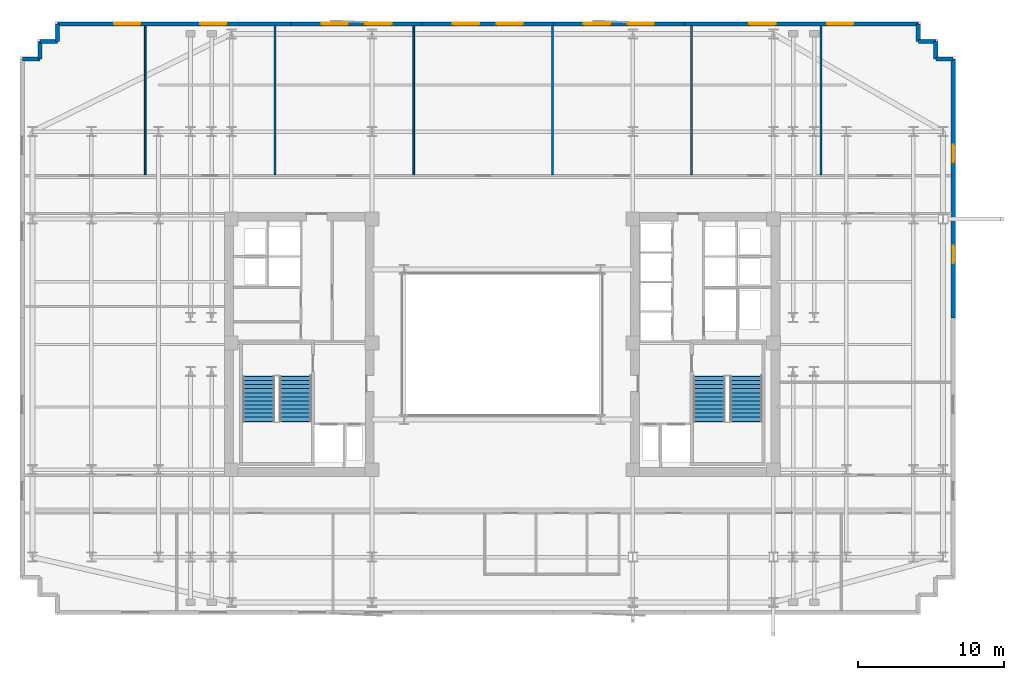
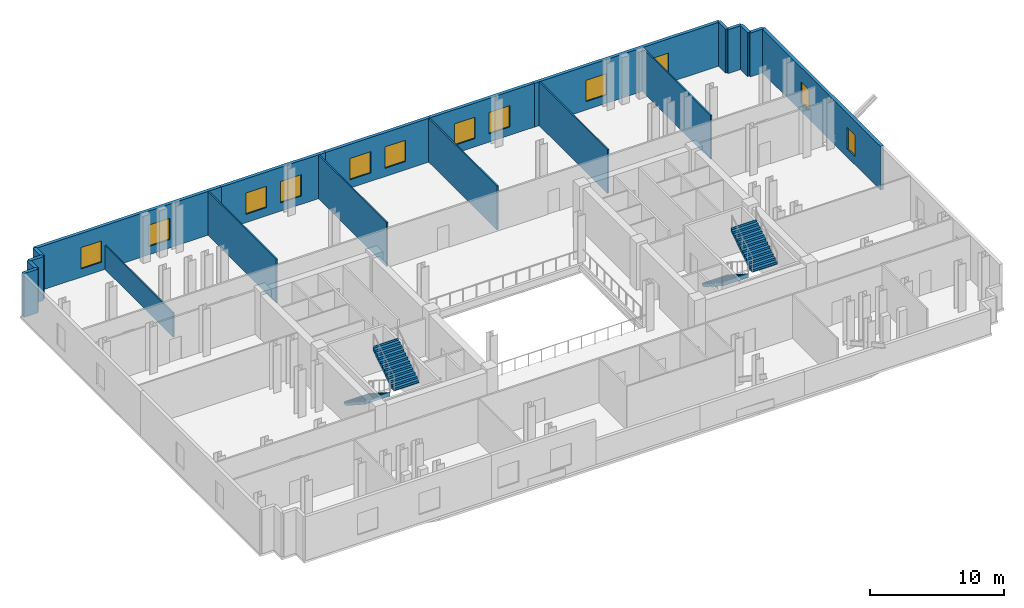
# One storey, part 7 of 9: 20 walls, 12 windows, 4 stair flights, 12 openings, 2 elements without a shape of their own.
"""IFC4 building model written with IfcOpenShell, lengths in metres."""

from ifc_helpers import new_model, si_unit, direction, frame, frame_2d, origin, place, context, subcontext, project, spatial, polyline, rectangle, outline, extrude, material, layer, layer_set, type_object, element, fill, aggregate, save


model = new_model("IFC4")

# Units and contexts
model_context = context("Model", 3, precision=1e-05, world=origin(), true_north=direction((0.0, 1.0)))
body_context = subcontext(model_context, "Body", "Model", "MODEL_VIEW")
ifc_project = project(units=[si_unit("LENGTHUNIT", "METRE"), si_unit("AREAUNIT", "SQUARE_METRE"), si_unit("VOLUMEUNIT", "CUBIC_METRE"), si_unit("PLANEANGLEUNIT", "RADIAN"), si_unit("MASSUNIT", "GRAM", prefix="KILO")], contexts=[model_context])

# Site, building, storey
site_placement = place(None, origin())
site = spatial("IfcSite", under=ifc_project, at=site_placement, CompositionType="ELEMENT")
building_placement = place(site_placement, origin())
building = spatial("IfcBuilding", under=site, at=building_placement, Name="Velakula Bourse", CompositionType="ELEMENT")
storey_placement = place(building_placement, frame((0.0, 0.0, 151.89990234375)))
storey = spatial("IfcBuildingStorey", under=building, at=storey_placement, Name="L41", CompositionType="ELEMENT", Elevation=151.89990234375)

# Wall, openings, windows
ifc_material_1 = material(Name="Red kilned clay facing brick masonry", Category="masonry")
ifc_layer_1 = layer(ifc_material_1, 0.280029296875, Name="Red kilned clay facing brick masonry", Category="masonry")
ifc_layer_set_1 = layer_set([ifc_layer_1], Name="Red kilned clay facing brick masonry")
wall_type_1 = type_object("IfcWallType", Name="WL-EXT-BRK-280", PredefinedType="STANDARD", material=ifc_layer_set_1)
wall_1_placement = place(storey_placement, frame((-30.5400390625, 21.989990234375, 0.0), z_axis=(0.0, 0.0, 1.0), x_axis=(1.0, 0.0, 0.0)))
wall_1 = element("IfcWall", 1, at=wall_1_placement, inside=storey, type_object=wall_type_1, Name="L41 N Brick Spandrel Wall B1", PredefinedType="STANDARD", context=body_context, shape_type="SweptSolid", body=[
    extrude(rectangle(XDim=16.0400390625, YDim=0.280029296875, at=frame_2d((8.02001953125, 0.0))), origin(), (0.0, 0.0, 1.0), 4.0),
])
opening_1_placement = place(wall_1_placement, frame((3.896728515625, 0.0, 0.760009765625)))
opening_1 = element("IfcOpeningElement", 2, at=opening_1_placement, cuts=wall_1, Name="Opening W-01", PredefinedType="OPENING", context=body_context, shape_type="SweptSolid", body=[
    extrude(rectangle(XDim=1.800048828125, YDim=1.949951171875, at=frame_2d((0.89990234375, 0.97509765625))), frame((0.0, 0.14990234375, 0.0), z_axis=(0.0, -1.0, 0.0), x_axis=(1.0, 0.0, 0.0)), (0.0, 0.0, 1.0), 0.300048828125),
])
opening_2_placement = place(wall_1_placement, frame((9.793212890625, 0.0, 0.760009765625)))
opening_2 = element("IfcOpeningElement", 3, at=opening_2_placement, cuts=wall_1, Name="Opening W-01", PredefinedType="OPENING", context=body_context, shape_type="SweptSolid", body=[
    extrude(rectangle(XDim=1.800048828125, YDim=1.949951171875, at=frame_2d((0.89990234375, 0.97509765625))), frame((0.0, 0.14990234375, 0.0), z_axis=(0.0, -1.0, 0.0), x_axis=(1.0, 0.0, 0.0)), (0.0, 0.0, 1.0), 0.300048828125),
])
ifc_material_2 = material(Name="Double-glazed solar-control Low-E glass", Category="glass")
window_type_1 = type_object("IfcWindowType", Name="WIN-TWR-1800x2100", PartitioningType="SINGLE_PANEL", PredefinedType="WINDOW", material=ifc_material_2)
window_1_placement = place(opening_1_placement, origin())
window_1 = element("IfcWindow", 4, at=window_1_placement, inside=storey, type_object=window_type_1, Name="L41 Deep-Set Recessed Window 1", OverallHeight=1.949951171875, OverallWidth=1.800048828125, PartitioningType="SINGLE_PANEL", PredefinedType="WINDOW", context=body_context, shape_type="SweptSolid", body=[
    extrude(rectangle(XDim=1.800048828125, YDim=1.949951171875, at=frame_2d((0.89990234375, 0.97509765625))), frame((0.0, 0.030029296875, 0.0), z_axis=(0.0, -1.0, 0.0), x_axis=(1.0, 0.0, 0.0)), (0.0, 0.0, 1.0), 0.06005859375),
])
fill(opening_1, window_1)
window_2_placement = place(opening_2_placement, origin())
window_2 = element("IfcWindow", 5, at=window_2_placement, inside=storey, type_object=window_type_1, Name="L41 Deep-Set Recessed Window 2", OverallHeight=1.949951171875, OverallWidth=1.800048828125, PartitioningType="SINGLE_PANEL", PredefinedType="WINDOW", context=body_context, shape_type="SweptSolid", body=[
    extrude(rectangle(XDim=1.800048828125, YDim=1.949951171875, at=frame_2d((0.89990234375, 0.97509765625))), frame((0.0, 0.030029296875, 0.0), z_axis=(0.0, -1.0, 0.0), x_axis=(1.0, 0.0, 0.0)), (0.0, 0.0, 1.0), 0.06005859375),
])
fill(opening_2, window_2)

wall_2_placement = place(storey_placement, frame((-14.5, 21.989990234375, 0.0), z_axis=(0.0, 0.0, 1.0), x_axis=(1.0, 0.0, 0.0)))
wall_2 = element("IfcWall", 6, at=wall_2_placement, inside=storey, type_object=wall_type_1, Name="L41 N Brick Spandrel Wall B2", PredefinedType="STANDARD", context=body_context, shape_type="SweptSolid", body=[
    extrude(rectangle(XDim=9.0, YDim=0.280029296875, at=frame_2d((4.5, 0.0))), origin(), (0.0, 0.0, 1.0), 4.0),
])
opening_3_placement = place(wall_2_placement, frame((2.10009765625, 0.0, 0.760009765625)))
opening_3 = element("IfcOpeningElement", 7, at=opening_3_placement, cuts=wall_2, Name="Opening W-01", PredefinedType="OPENING", context=body_context, shape_type="SweptSolid", body=[
    extrude(rectangle(XDim=1.800048828125, YDim=1.949951171875, at=frame_2d((0.89990234375, 0.97509765625))), frame((0.0, 0.14990234375, 0.0), z_axis=(0.0, -1.0, 0.0), x_axis=(1.0, 0.0, 0.0)), (0.0, 0.0, 1.0), 0.300048828125),
])
opening_4_placement = place(wall_2_placement, frame((5.10009765625, 0.0, 0.760009765625)))
opening_4 = element("IfcOpeningElement", 8, at=opening_4_placement, cuts=wall_2, Name="Opening W-01", PredefinedType="OPENING", context=body_context, shape_type="SweptSolid", body=[
    extrude(rectangle(XDim=1.800048828125, YDim=1.949951171875, at=frame_2d((0.89990234375, 0.97509765625))), frame((0.0, 0.14990234375, 0.0), z_axis=(0.0, -1.0, 0.0), x_axis=(1.0, 0.0, 0.0)), (0.0, 0.0, 1.0), 0.300048828125),
])
window_3_placement = place(opening_3_placement, origin())
window_3 = element("IfcWindow", 9, at=window_3_placement, inside=storey, type_object=window_type_1, Name="L41 Deep-Set Recessed Window 1", OverallHeight=1.949951171875, OverallWidth=1.800048828125, PartitioningType="SINGLE_PANEL", PredefinedType="WINDOW", context=body_context, shape_type="SweptSolid", body=[
    extrude(rectangle(XDim=1.800048828125, YDim=1.949951171875, at=frame_2d((0.89990234375, 0.97509765625))), frame((0.0, 0.030029296875, 0.0), z_axis=(0.0, -1.0, 0.0), x_axis=(1.0, 0.0, 0.0)), (0.0, 0.0, 1.0), 0.06005859375),
])
fill(opening_3, window_3)
window_4_placement = place(opening_4_placement, origin())
window_4 = element("IfcWindow", 10, at=window_4_placement, inside=storey, type_object=window_type_1, Name="L41 Deep-Set Recessed Window 2", OverallHeight=1.949951171875, OverallWidth=1.800048828125, PartitioningType="SINGLE_PANEL", PredefinedType="WINDOW", context=body_context, shape_type="SweptSolid", body=[
    extrude(rectangle(XDim=1.800048828125, YDim=1.949951171875, at=frame_2d((0.89990234375, 0.97509765625))), frame((0.0, 0.030029296875, 0.0), z_axis=(0.0, -1.0, 0.0), x_axis=(1.0, 0.0, 0.0)), (0.0, 0.0, 1.0), 0.06005859375),
])
fill(opening_4, window_4)

wall_3_placement = place(storey_placement, frame((-5.5, 21.989990234375, 0.0), z_axis=(0.0, 0.0, 1.0), x_axis=(1.0, 0.0, 0.0)))
wall_3 = element("IfcWall", 11, at=wall_3_placement, inside=storey, type_object=wall_type_1, Name="L41 N Brick Spandrel Wall B3", PredefinedType="STANDARD", context=body_context, shape_type="SweptSolid", body=[
    extrude(rectangle(XDim=9.0, YDim=0.280029296875, at=frame_2d((4.5, 0.0))), origin(), (0.0, 0.0, 1.0), 4.0),
])
opening_5_placement = place(wall_3_placement, frame((2.10009765625, 0.0, 0.760009765625)))
opening_5 = element("IfcOpeningElement", 12, at=opening_5_placement, cuts=wall_3, Name="Opening W-01", PredefinedType="OPENING", context=body_context, shape_type="SweptSolid", body=[
    extrude(rectangle(XDim=1.800048828125, YDim=1.949951171875, at=frame_2d((0.89990234375, 0.97509765625))), frame((0.0, 0.14990234375, 0.0), z_axis=(0.0, -1.0, 0.0), x_axis=(1.0, 0.0, 0.0)), (0.0, 0.0, 1.0), 0.300048828125),
])
opening_6_placement = place(wall_3_placement, frame((5.10009765625, 0.0, 0.760009765625)))
opening_6 = element("IfcOpeningElement", 13, at=opening_6_placement, cuts=wall_3, Name="Opening W-01", PredefinedType="OPENING", context=body_context, shape_type="SweptSolid", body=[
    extrude(rectangle(XDim=1.800048828125, YDim=1.949951171875, at=frame_2d((0.89990234375, 0.97509765625))), frame((0.0, 0.14990234375, 0.0), z_axis=(0.0, -1.0, 0.0), x_axis=(1.0, 0.0, 0.0)), (0.0, 0.0, 1.0), 0.300048828125),
])
window_5_placement = place(opening_5_placement, origin())
window_5 = element("IfcWindow", 14, at=window_5_placement, inside=storey, type_object=window_type_1, Name="L41 Deep-Set Recessed Window 1", OverallHeight=1.949951171875, OverallWidth=1.800048828125, PartitioningType="SINGLE_PANEL", PredefinedType="WINDOW", context=body_context, shape_type="SweptSolid", body=[
    extrude(rectangle(XDim=1.800048828125, YDim=1.949951171875, at=frame_2d((0.89990234375, 0.97509765625))), frame((0.0, 0.030029296875, 0.0), z_axis=(0.0, -1.0, 0.0), x_axis=(1.0, 0.0, 0.0)), (0.0, 0.0, 1.0), 0.06005859375),
])
fill(opening_5, window_5)
window_6_placement = place(opening_6_placement, origin())
window_6 = element("IfcWindow", 15, at=window_6_placement, inside=storey, type_object=window_type_1, Name="L41 Deep-Set Recessed Window 2", OverallHeight=1.949951171875, OverallWidth=1.800048828125, PartitioningType="SINGLE_PANEL", PredefinedType="WINDOW", context=body_context, shape_type="SweptSolid", body=[
    extrude(rectangle(XDim=1.800048828125, YDim=1.949951171875, at=frame_2d((0.89990234375, 0.97509765625))), frame((0.0, 0.030029296875, 0.0), z_axis=(0.0, -1.0, 0.0), x_axis=(1.0, 0.0, 0.0)), (0.0, 0.0, 1.0), 0.06005859375),
])
fill(opening_6, window_6)

wall_4_placement = place(storey_placement, frame((3.5, 21.989990234375, 0.0), z_axis=(0.0, 0.0, 1.0), x_axis=(1.0, 0.0, 0.0)))
wall_4 = element("IfcWall", 16, at=wall_4_placement, inside=storey, type_object=wall_type_1, Name="L41 N Brick Spandrel Wall B4", PredefinedType="STANDARD", context=body_context, shape_type="SweptSolid", body=[
    extrude(rectangle(XDim=9.0, YDim=0.280029296875, at=frame_2d((4.5, 0.0))), origin(), (0.0, 0.0, 1.0), 4.0),
])
opening_7_placement = place(wall_4_placement, frame((2.10009765625, 0.0, 0.760009765625)))
opening_7 = element("IfcOpeningElement", 17, at=opening_7_placement, cuts=wall_4, Name="Opening W-01", PredefinedType="OPENING", context=body_context, shape_type="SweptSolid", body=[
    extrude(rectangle(XDim=1.800048828125, YDim=1.949951171875, at=frame_2d((0.89990234375, 0.97509765625))), frame((0.0, 0.14990234375, 0.0), z_axis=(0.0, -1.0, 0.0), x_axis=(1.0, 0.0, 0.0)), (0.0, 0.0, 1.0), 0.300048828125),
])
opening_8_placement = place(wall_4_placement, frame((5.10009765625, 0.0, 0.760009765625)))
opening_8 = element("IfcOpeningElement", 18, at=opening_8_placement, cuts=wall_4, Name="Opening W-01", PredefinedType="OPENING", context=body_context, shape_type="SweptSolid", body=[
    extrude(rectangle(XDim=1.800048828125, YDim=1.949951171875, at=frame_2d((0.89990234375, 0.97509765625))), frame((0.0, 0.14990234375, 0.0), z_axis=(0.0, -1.0, 0.0), x_axis=(1.0, 0.0, 0.0)), (0.0, 0.0, 1.0), 0.300048828125),
])
window_7_placement = place(opening_7_placement, origin())
window_7 = element("IfcWindow", 19, at=window_7_placement, inside=storey, type_object=window_type_1, Name="L41 Deep-Set Recessed Window 1", OverallHeight=1.949951171875, OverallWidth=1.800048828125, PartitioningType="SINGLE_PANEL", PredefinedType="WINDOW", context=body_context, shape_type="SweptSolid", body=[
    extrude(rectangle(XDim=1.800048828125, YDim=1.949951171875, at=frame_2d((0.89990234375, 0.97509765625))), frame((0.0, 0.030029296875, 0.0), z_axis=(0.0, -1.0, 0.0), x_axis=(1.0, 0.0, 0.0)), (0.0, 0.0, 1.0), 0.06005859375),
])
fill(opening_7, window_7)
window_8_placement = place(opening_8_placement, origin())
window_8 = element("IfcWindow", 20, at=window_8_placement, inside=storey, type_object=window_type_1, Name="L41 Deep-Set Recessed Window 2", OverallHeight=1.949951171875, OverallWidth=1.800048828125, PartitioningType="SINGLE_PANEL", PredefinedType="WINDOW", context=body_context, shape_type="SweptSolid", body=[
    extrude(rectangle(XDim=1.800048828125, YDim=1.949951171875, at=frame_2d((0.89990234375, 0.97509765625))), frame((0.0, 0.030029296875, 0.0), z_axis=(0.0, -1.0, 0.0), x_axis=(1.0, 0.0, 0.0)), (0.0, 0.0, 1.0), 0.06005859375),
])
fill(opening_8, window_8)

wall_5_placement = place(storey_placement, frame((12.5, 21.989990234375, 0.0), z_axis=(0.0, 0.0, 1.0), x_axis=(1.0, 0.0, 0.0)))
wall_5 = element("IfcWall", 21, at=wall_5_placement, inside=storey, type_object=wall_type_1, Name="L41 N Brick Spandrel Wall B5", PredefinedType="STANDARD", context=body_context, shape_type="SweptSolid", body=[
    extrude(rectangle(XDim=16.0400390625, YDim=0.280029296875, at=frame_2d((8.02001953125, 0.0))), origin(), (0.0, 0.0, 1.0), 4.0),
])
opening_9_placement = place(wall_5_placement, frame((4.44677734375, 0.0, 0.760009765625)))
opening_9 = element("IfcOpeningElement", 22, at=opening_9_placement, cuts=wall_5, Name="Opening W-01", PredefinedType="OPENING", context=body_context, shape_type="SweptSolid", body=[
    extrude(rectangle(XDim=1.800048828125, YDim=1.949951171875, at=frame_2d((0.89990234375, 0.97509765625))), frame((0.0, 0.14990234375, 0.0), z_axis=(0.0, -1.0, 0.0), x_axis=(1.0, 0.0, 0.0)), (0.0, 0.0, 1.0), 0.300048828125),
])
opening_10_placement = place(wall_5_placement, frame((9.793212890625, 0.0, 0.760009765625)))
opening_10 = element("IfcOpeningElement", 23, at=opening_10_placement, cuts=wall_5, Name="Opening W-01", PredefinedType="OPENING", context=body_context, shape_type="SweptSolid", body=[
    extrude(rectangle(XDim=1.800048828125, YDim=1.949951171875, at=frame_2d((0.89990234375, 0.97509765625))), frame((0.0, 0.14990234375, 0.0), z_axis=(0.0, -1.0, 0.0), x_axis=(1.0, 0.0, 0.0)), (0.0, 0.0, 1.0), 0.300048828125),
])
window_9_placement = place(opening_9_placement, origin())
window_9 = element("IfcWindow", 24, at=window_9_placement, inside=storey, type_object=window_type_1, Name="L41 Deep-Set Recessed Window 1", OverallHeight=1.949951171875, OverallWidth=1.800048828125, PartitioningType="SINGLE_PANEL", PredefinedType="WINDOW", context=body_context, shape_type="SweptSolid", body=[
    extrude(rectangle(XDim=1.800048828125, YDim=1.949951171875, at=frame_2d((0.89990234375, 0.97509765625))), frame((0.0, 0.030029296875, 0.0), z_axis=(0.0, -1.0, 0.0), x_axis=(1.0, 0.0, 0.0)), (0.0, 0.0, 1.0), 0.06005859375),
])
fill(opening_9, window_9)
window_10_placement = place(opening_10_placement, origin())
window_10 = element("IfcWindow", 25, at=window_10_placement, inside=storey, type_object=window_type_1, Name="L41 Deep-Set Recessed Window 2", OverallHeight=1.949951171875, OverallWidth=1.800048828125, PartitioningType="SINGLE_PANEL", PredefinedType="WINDOW", context=body_context, shape_type="SweptSolid", body=[
    extrude(rectangle(XDim=1.800048828125, YDim=1.949951171875, at=frame_2d((0.89990234375, 0.97509765625))), frame((0.0, 0.030029296875, 0.0), z_axis=(0.0, -1.0, 0.0), x_axis=(1.0, 0.0, 0.0)), (0.0, 0.0, 1.0), 0.06005859375),
])
fill(opening_10, window_10)

wall_6_placement = place(storey_placement, frame((30.93994140625, 19.590087890625, 0.0), z_axis=(0.0, 0.0, 1.0), x_axis=(0.0, -1.0, 0.0)))
wall_6 = element("IfcWall", 26, at=wall_6_placement, inside=storey, type_object=wall_type_1, Name="L41 E Brick End Wall W2", PredefinedType="STANDARD", context=body_context, shape_type="SweptSolid", body=[
    extrude(rectangle(XDim=17.7900390625, YDim=0.280029296875, at=frame_2d((8.89501953125, 0.0))), origin(), (0.0, 0.0, 1.0), 4.0),
])
opening_11_placement = place(wall_6_placement, frame((5.8798828125, 0.0, 0.760009765625)))
opening_11 = element("IfcOpeningElement", 27, at=opening_11_placement, cuts=wall_6, Name="Opening W-04", PredefinedType="OPENING", context=body_context, shape_type="SweptSolid", body=[
    extrude(rectangle(XDim=1.199951171875, YDim=1.949951171875, at=frame_2d((0.60009765625, 0.97509765625))), frame((0.0, 0.14990234375, 0.0), z_axis=(0.0, -1.0, 0.0), x_axis=(1.0, 0.0, 0.0)), (0.0, 0.0, 1.0), 0.300048828125),
])
opening_12_placement = place(wall_6_placement, frame((12.81005859375, 0.0, 0.760009765625)))
opening_12 = element("IfcOpeningElement", 28, at=opening_12_placement, cuts=wall_6, Name="Opening W-04", PredefinedType="OPENING", context=body_context, shape_type="SweptSolid", body=[
    extrude(rectangle(XDim=1.199951171875, YDim=1.949951171875, at=frame_2d((0.60009765625, 0.97509765625))), frame((0.0, 0.14990234375, 0.0), z_axis=(0.0, -1.0, 0.0), x_axis=(1.0, 0.0, 0.0)), (0.0, 0.0, 1.0), 0.300048828125),
])
window_type_2 = type_object("IfcWindowType", Name="WIN-TWR-1200x2100", PartitioningType="SINGLE_PANEL", PredefinedType="WINDOW", material=ifc_material_2)
window_11_placement = place(opening_11_placement, origin())
window_11 = element("IfcWindow", 29, at=window_11_placement, inside=storey, type_object=window_type_2, Name="L41 Deep-Set Recessed Window 1", OverallHeight=1.949951171875, OverallWidth=1.199951171875, PartitioningType="SINGLE_PANEL", PredefinedType="WINDOW", context=body_context, shape_type="SweptSolid", body=[
    extrude(rectangle(XDim=1.199951171875, YDim=1.949951171875, at=frame_2d((0.60009765625, 0.97509765625))), frame((0.0, 0.030029296875, 0.0), z_axis=(0.0, -1.0, 0.0), x_axis=(1.0, 0.0, 0.0)), (0.0, 0.0, 1.0), 0.06005859375),
])
fill(opening_11, window_11)
window_12_placement = place(opening_12_placement, origin())
window_12 = element("IfcWindow", 30, at=window_12_placement, inside=storey, type_object=window_type_2, Name="L41 Deep-Set Recessed Window 2", OverallHeight=1.949951171875, OverallWidth=1.199951171875, PartitioningType="SINGLE_PANEL", PredefinedType="WINDOW", context=body_context, shape_type="SweptSolid", body=[
    extrude(rectangle(XDim=1.199951171875, YDim=1.949951171875, at=frame_2d((0.60009765625, 0.97509765625))), frame((0.0, 0.030029296875, 0.0), z_axis=(0.0, -1.0, 0.0), x_axis=(1.0, 0.0, 0.0)), (0.0, 0.0, 1.0), 0.06005859375),
])
fill(opening_12, window_12)

# Walls
for number, where, z_axis, x_axis, name in (
    (31, (30.93994140625, 19.590087890625, 0.0), (0.0, 0.0, 1.0), (-1.0, 0.0, 0.0), "L41 Serrated Corner Brick Wall NE-1"),
    (32, (29.739990234375, 19.590087890625, 0.0), (0.0, 0.0, 1.0), (0.0, 1.0, 0.0), "L41 Serrated Corner Brick Wall NE-2"),
    (33, (29.739990234375, 20.7900390625, 0.0), (0.0, 0.0, 1.0), (-1.0, 0.0, 0.0), "L41 Serrated Corner Brick Wall NE-3"),
    (34, (28.5400390625, 20.7900390625, 0.0), (0.0, 0.0, 1.0), (0.0, 1.0, 0.0), "L41 Serrated Corner Brick Wall NE-4"),
    (35, (-30.5400390625, 21.989990234375, 0.0), (0.0, 0.0, 1.0), (0.0, -1.0, 0.0), "L41 Serrated Corner Brick Wall NW-1"),
    (36, (-30.5400390625, 20.7900390625, 0.0), (0.0, 0.0, 1.0), (-1.0, 0.0, 0.0), "L41 Serrated Corner Brick Wall NW-2"),
    (37, (-31.739990234375, 20.7900390625, 0.0), (0.0, 0.0, 1.0), (0.0, -1.0, 0.0), "L41 Serrated Corner Brick Wall NW-3"),
    (38, (-31.739990234375, 19.590087890625, 0.0), (0.0, 0.0, 1.0), (-1.0, 0.0, 0.0), "L41 Serrated Corner Brick Wall NW-4"),
):
    element("IfcWall", number, at=place(storey_placement, frame(where, z_axis=z_axis, x_axis=x_axis)), inside=storey, type_object=wall_type_1, Name=name, PredefinedType="STANDARD", context=body_context, shape_type="SweptSolid", body=[
        extrude(rectangle(XDim=1.199951171875, YDim=0.280029296875, at=frame_2d((0.60009765625, 0.0))), origin(), (0.0, 0.0, 1.0), 4.0),
    ])
ifc_material_3 = material(Name="Fire-rated double-layer gypsum drywall partition", Category="gypsum")
ifc_layer_2 = layer(ifc_material_3, 0.1201171875, Name="Fire-rated double-layer gypsum drywall partition", Category="gypsum")
ifc_layer_set_2 = layer_set([ifc_layer_2], Name="Fire-rated double-layer gypsum drywall partition")
wall_type_2 = type_object("IfcWallType", Name="WL-PART-120", PredefinedType="STANDARD", material=ifc_layer_set_2)
wall_7_placement = place(storey_placement, frame((-24.501953125, 11.639892578125, 0.0), z_axis=(0.0, 0.0, 1.0), x_axis=(0.0, 1.0, 0.0)))
element("IfcWall", 39, at=wall_7_placement, inside=storey, type_object=wall_type_2, Name="L41 Interior Partition WL-INT-L41-N-D1", PredefinedType="STANDARD", context=body_context, shape_type="SweptSolid", body=[
    extrude(rectangle(XDim=10.230224609375, YDim=0.1201171875, at=frame_2d((5.115234375, 0.0))), origin(), (0.0, 0.0, 1.0), 2.195068359375),
])
for number, where, z_axis, x_axis, name in (
    (40, (-15.610107421875, 11.639892578125, 0.0), (0.0, 0.0, 1.0), (0.0, 1.0, 0.0), "L41 Interior Partition WL-INT-L41-N-D2"),
    (41, (-6.08203125, 11.639892578125, 0.0), (0.0, 0.0, 1.0), (0.0, 1.0, 0.0), "L41 Interior Partition WL-INT-L41-N-D3"),
    (42, (3.446044921875, 11.639892578125, 0.0), (0.0, 0.0, 1.0), (0.0, 1.0, 0.0), "L41 Interior Partition WL-INT-L41-N-D4"),
    (43, (12.97412109375, 11.639892578125, 0.0), (0.0, 0.0, 1.0), (0.0, 1.0, 0.0), "L41 Interior Partition WL-INT-L41-N-D5"),
    (44, (21.866943359375, 11.639892578125, 0.0), (0.0, 0.0, 1.0), (0.0, 1.0, 0.0), "L41 Interior Partition WL-INT-L41-N-D6"),
):
    element("IfcWall", number, at=place(storey_placement, frame(where, z_axis=z_axis, x_axis=x_axis)), inside=storey, type_object=wall_type_2, Name=name, PredefinedType="STANDARD", context=body_context, shape_type="SweptSolid", body=[
        extrude(rectangle(XDim=10.230224609375, YDim=0.1201171875, at=frame_2d((5.115234375, 0.0))), origin(), (0.0, 0.0, 1.0), 4.0),
    ])

# Stair, stair flights
ifc_material_4 = material(Name="Concrete M45 (fck 45 MPa)", Category="concrete")
stair_type = type_object("IfcStairType", Name="STR-DOG-435", PredefinedType="HALF_TURN_STAIR", material=ifc_material_4)
stair_1_placement = place(storey_placement, origin())
stair_1 = element("IfcStair", 45, at=stair_1_placement, inside=storey, type_object=stair_type, Name="L41 West Core Exit Stair ST-W1", PredefinedType="HALF_TURN_STAIR")
ifc_layer_3 = layer(ifc_material_4, 0.199951171875, Name="Concrete M45 (fck 45 MPa)", Category="concrete")
ifc_layer_set_3 = layer_set([ifc_layer_3], Name="Concrete M45 (fck 45 MPa)")
stair_flight_type = type_object("IfcStairFlightType", Name="FLT-DOG-435", PredefinedType="STRAIGHT", material=ifc_layer_set_3)
stair_flight_1_placement = place(storey_placement, frame((-16.720947265625, -2.199951171875, 0.0), z_axis=(0.0, 0.0, 1.0), x_axis=(0.0, -1.0, 0.0)))
stair_flight_1 = element("IfcStairFlight", 46, at=stair_flight_1_placement, type_object=stair_flight_type, Name="ST-W1 flight 1", NumberOfRisers=12, NumberOfTreads=11, PredefinedType="STRAIGHT", RiserHeight=0.179166667, TreadLength=0.28, context=body_context, shape_type="SweptSolid", body=[
    extrude(outline(polyline([(-0.044921875, -0.0400390625), (-0.044921875, -0.036865234375), (-0.044921875, -0.033935546875), (-0.044921875, -0.03076171875), (-0.044921875, -0.027587890625), (-0.044921875, -0.024658203125), (-0.044921875, -0.021484375), (-0.044921875, -0.0185546875), (-0.044921875, -0.015380859375), (-0.044921875, -0.01220703125), (-0.044921875, -0.00927734375), (-0.044921875, -0.006103515625), (-0.044921875, -0.003173828125), (-0.044921875, 0.0), (0.0, 0.0), (0.0, 0.17919921875), (0.280029296875, 0.17919921875), (0.280029296875, 0.3583984375), (0.56005859375, 0.3583984375), (0.56005859375, 0.53759765625), (0.840087890625, 0.53759765625), (0.840087890625, 0.716552734375), (1.1201171875, 0.716552734375), (1.1201171875, 0.895751953125), (1.39990234375, 0.895751953125), (1.39990234375, 1.074951171875), (1.679931640625, 1.074951171875), (1.679931640625, 1.254150390625), (1.9599609375, 1.254150390625), (1.9599609375, 1.433349609375), (2.239990234375, 1.433349609375), (2.239990234375, 1.612548828125), (2.52001953125, 1.612548828125), (2.52001953125, 1.791748046875), (2.800048828125, 1.791748046875), (2.800048828125, 1.970947265625), (3.080078125, 1.970947265625), (3.080078125, 2.14990234375), (3.125, 2.14990234375), (3.125, 2.12451171875), (3.125, 2.098876953125), (3.125, 2.073486328125), (3.125, 2.0478515625), (3.125, 2.0224609375), (3.125, 1.996826171875), (3.125, 1.971435546875), (3.125, 1.946044921875), (3.125, 1.92041015625), (3.125, 1.89501953125), (3.125, 1.869384765625), (3.125, 1.843994140625), (3.125, 1.818359375), (3.125, 1.79296875), (0.278076171875, -0.0400390625), (-0.044921875, -0.0400390625)])), frame((0.0, 1.09912109375, 0.0), z_axis=(0.0, -1.0, 0.0), x_axis=(1.0, 0.0, 0.0)), (0.0, 0.0, 1.0), 2.197998046875),
])
stair_flight_2_placement = place(storey_placement, frame((-14.198974609375, -5.280029296875, 2.150146484375), z_axis=(0.0, 0.0, 1.0), x_axis=(0.0, 1.0, 0.0)))
stair_flight_2 = element("IfcStairFlight", 47, at=stair_flight_2_placement, type_object=stair_flight_type, Name="ST-W1 flight 2", NumberOfRisers=12, NumberOfTreads=11, PredefinedType="STRAIGHT", RiserHeight=0.179166667, TreadLength=0.28, context=body_context, shape_type="SweptSolid", body=[
    extrude(outline(polyline([(-0.044921875, -0.0400390625), (-0.044921875, -0.036865234375), (-0.044921875, -0.033935546875), (-0.044921875, -0.03076171875), (-0.044921875, -0.027587890625), (-0.044921875, -0.024658203125), (-0.044921875, -0.021484375), (-0.044921875, -0.0185546875), (-0.044921875, -0.015380859375), (-0.044921875, -0.01220703125), (-0.044921875, -0.00927734375), (-0.044921875, -0.006103515625), (-0.044921875, -0.003173828125), (-0.044921875, 0.0), (0.0, 0.0), (0.0, 0.17919921875), (0.280029296875, 0.17919921875), (0.280029296875, 0.3583984375), (0.56005859375, 0.3583984375), (0.56005859375, 0.53759765625), (0.840087890625, 0.53759765625), (0.840087890625, 0.716552734375), (1.1201171875, 0.716552734375), (1.1201171875, 0.895751953125), (1.39990234375, 0.895751953125), (1.39990234375, 1.074951171875), (1.679931640625, 1.074951171875), (1.679931640625, 1.254150390625), (1.9599609375, 1.254150390625), (1.9599609375, 1.433349609375), (2.239990234375, 1.433349609375), (2.239990234375, 1.612548828125), (2.52001953125, 1.612548828125), (2.52001953125, 1.791748046875), (2.800048828125, 1.791748046875), (2.800048828125, 1.970947265625), (3.080078125, 1.970947265625), (3.080078125, 2.14990234375), (3.125, 2.14990234375), (3.125, 2.12451171875), (3.125, 2.098876953125), (3.125, 2.073486328125), (3.125, 2.0478515625), (3.125, 2.0224609375), (3.125, 1.996826171875), (3.125, 1.971435546875), (3.125, 1.946044921875), (3.125, 1.92041015625), (3.125, 1.89501953125), (3.125, 1.869384765625), (3.125, 1.843994140625), (3.125, 1.818359375), (3.125, 1.79296875), (0.278076171875, -0.0400390625), (-0.044921875, -0.0400390625)])), frame((0.0, 1.09912109375, 0.0), z_axis=(0.0, -1.0, 0.0), x_axis=(1.0, 0.0, 0.0)), (0.0, 0.0, 1.0), 2.197998046875),
])
aggregate(stair_1, [stair_flight_1, stair_flight_2])

stair_2_placement = place(storey_placement, origin())
stair_2 = element("IfcStair", 48, at=stair_2_placement, inside=storey, type_object=stair_type, Name="L41 East Core Exit Stair ST-E1", PredefinedType="HALF_TURN_STAIR")
stair_flight_3_placement = place(storey_placement, frame((14.198974609375, -2.199951171875, 0.0), z_axis=(0.0, 0.0, 1.0), x_axis=(0.0, -1.0, 0.0)))
stair_flight_3 = element("IfcStairFlight", 49, at=stair_flight_3_placement, type_object=stair_flight_type, Name="ST-E1 flight 1", NumberOfRisers=12, NumberOfTreads=11, PredefinedType="STRAIGHT", RiserHeight=0.179166667, TreadLength=0.28, context=body_context, shape_type="SweptSolid", body=[
    extrude(outline(polyline([(-0.044921875, -0.0400390625), (-0.044921875, -0.036865234375), (-0.044921875, -0.033935546875), (-0.044921875, -0.03076171875), (-0.044921875, -0.027587890625), (-0.044921875, -0.024658203125), (-0.044921875, -0.021484375), (-0.044921875, -0.0185546875), (-0.044921875, -0.015380859375), (-0.044921875, -0.01220703125), (-0.044921875, -0.00927734375), (-0.044921875, -0.006103515625), (-0.044921875, -0.003173828125), (-0.044921875, 0.0), (0.0, 0.0), (0.0, 0.17919921875), (0.280029296875, 0.17919921875), (0.280029296875, 0.3583984375), (0.56005859375, 0.3583984375), (0.56005859375, 0.53759765625), (0.840087890625, 0.53759765625), (0.840087890625, 0.716552734375), (1.1201171875, 0.716552734375), (1.1201171875, 0.895751953125), (1.39990234375, 0.895751953125), (1.39990234375, 1.074951171875), (1.679931640625, 1.074951171875), (1.679931640625, 1.254150390625), (1.9599609375, 1.254150390625), (1.9599609375, 1.433349609375), (2.239990234375, 1.433349609375), (2.239990234375, 1.612548828125), (2.52001953125, 1.612548828125), (2.52001953125, 1.791748046875), (2.800048828125, 1.791748046875), (2.800048828125, 1.970947265625), (3.080078125, 1.970947265625), (3.080078125, 2.14990234375), (3.125, 2.14990234375), (3.125, 2.12451171875), (3.125, 2.098876953125), (3.125, 2.073486328125), (3.125, 2.0478515625), (3.125, 2.0224609375), (3.125, 1.996826171875), (3.125, 1.971435546875), (3.125, 1.946044921875), (3.125, 1.92041015625), (3.125, 1.89501953125), (3.125, 1.869384765625), (3.125, 1.843994140625), (3.125, 1.818359375), (3.125, 1.79296875), (0.278076171875, -0.0400390625), (-0.044921875, -0.0400390625)])), frame((0.0, 1.09912109375, 0.0), z_axis=(0.0, -1.0, 0.0), x_axis=(1.0, 0.0, 0.0)), (0.0, 0.0, 1.0), 2.197998046875),
])
stair_flight_4_placement = place(storey_placement, frame((16.720947265625, -5.280029296875, 2.150146484375), z_axis=(0.0, 0.0, 1.0), x_axis=(0.0, 1.0, 0.0)))
stair_flight_4 = element("IfcStairFlight", 50, at=stair_flight_4_placement, type_object=stair_flight_type, Name="ST-E1 flight 2", NumberOfRisers=12, NumberOfTreads=11, PredefinedType="STRAIGHT", RiserHeight=0.179166667, TreadLength=0.28, context=body_context, shape_type="SweptSolid", body=[
    extrude(outline(polyline([(-0.044921875, -0.0400390625), (-0.044921875, -0.036865234375), (-0.044921875, -0.033935546875), (-0.044921875, -0.03076171875), (-0.044921875, -0.027587890625), (-0.044921875, -0.024658203125), (-0.044921875, -0.021484375), (-0.044921875, -0.0185546875), (-0.044921875, -0.015380859375), (-0.044921875, -0.01220703125), (-0.044921875, -0.00927734375), (-0.044921875, -0.006103515625), (-0.044921875, -0.003173828125), (-0.044921875, 0.0), (0.0, 0.0), (0.0, 0.17919921875), (0.280029296875, 0.17919921875), (0.280029296875, 0.3583984375), (0.56005859375, 0.3583984375), (0.56005859375, 0.53759765625), (0.840087890625, 0.53759765625), (0.840087890625, 0.716552734375), (1.1201171875, 0.716552734375), (1.1201171875, 0.895751953125), (1.39990234375, 0.895751953125), (1.39990234375, 1.074951171875), (1.679931640625, 1.074951171875), (1.679931640625, 1.254150390625), (1.9599609375, 1.254150390625), (1.9599609375, 1.433349609375), (2.239990234375, 1.433349609375), (2.239990234375, 1.612548828125), (2.52001953125, 1.612548828125), (2.52001953125, 1.791748046875), (2.800048828125, 1.791748046875), (2.800048828125, 1.970947265625), (3.080078125, 1.970947265625), (3.080078125, 2.14990234375), (3.125, 2.14990234375), (3.125, 2.12451171875), (3.125, 2.098876953125), (3.125, 2.073486328125), (3.125, 2.0478515625), (3.125, 2.0224609375), (3.125, 1.996826171875), (3.125, 1.971435546875), (3.125, 1.946044921875), (3.125, 1.92041015625), (3.125, 1.89501953125), (3.125, 1.869384765625), (3.125, 1.843994140625), (3.125, 1.818359375), (3.125, 1.79296875), (0.278076171875, -0.0400390625), (-0.044921875, -0.0400390625)])), frame((0.0, 1.09912109375, 0.0), z_axis=(0.0, -1.0, 0.0), x_axis=(1.0, 0.0, 0.0)), (0.0, 0.0, 1.0), 2.197998046875),
])
aggregate(stair_2, [stair_flight_3, stair_flight_4])

save(model, "model.ifc")
